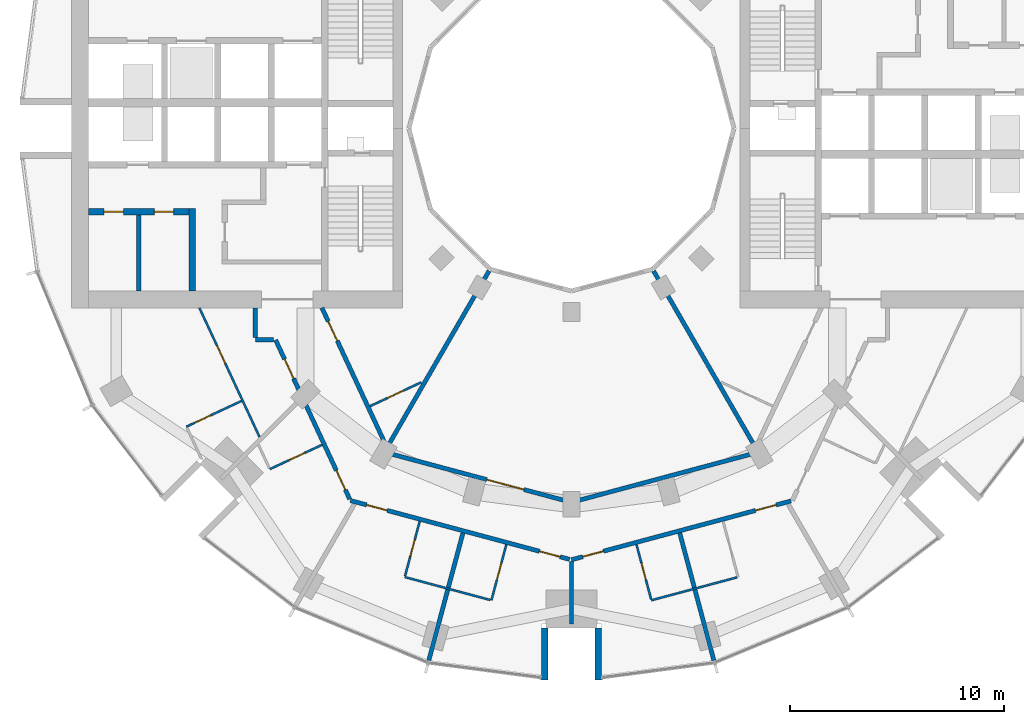
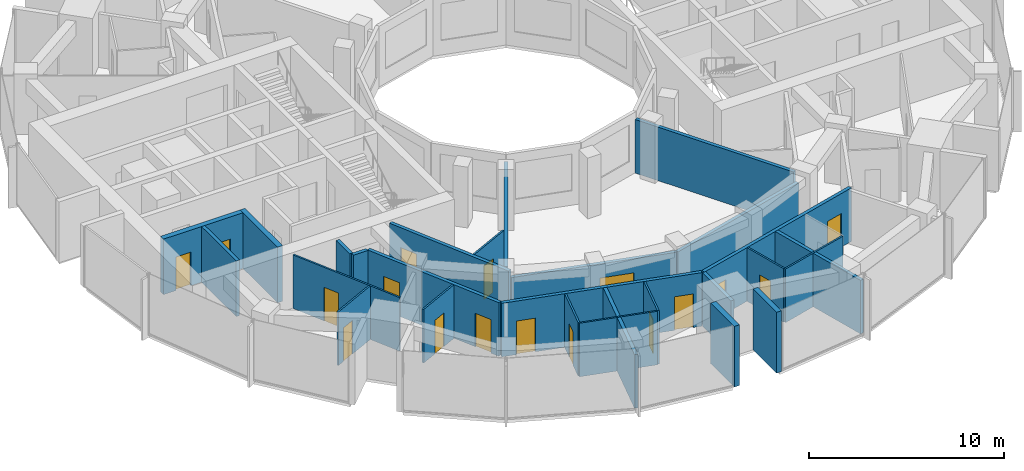
# One storey, part 8 of 15: 27 walls, 17 doors, 17 openings.
"""IFC4 building model written with IfcOpenShell, lengths in metres."""

from ifc_helpers import new_model, si_unit, direction, frame, frame_2d, origin, place, context, subcontext, project, spatial, rectangle, extrude, material, layer, layer_set, type_object, element, fill, save


model = new_model("IFC4")

# Units and contexts
model_context = context("Model", 3, precision=1e-05, world=origin(), true_north=direction((0.0, 1.0)))
body_context = subcontext(model_context, "Body", "Model", "MODEL_VIEW")
ifc_project = project(units=[si_unit("LENGTHUNIT", "METRE"), si_unit("AREAUNIT", "SQUARE_METRE"), si_unit("VOLUMEUNIT", "CUBIC_METRE"), si_unit("PLANEANGLEUNIT", "RADIAN"), si_unit("MASSUNIT", "GRAM", prefix="KILO")], contexts=[model_context])

# Site, building, storey
site_placement = place(None, origin())
site = spatial("IfcSite", under=ifc_project, at=site_placement, CompositionType="ELEMENT")
building_placement = place(site_placement, origin())
building = spatial("IfcBuilding", under=site, at=building_placement, Name="Torre Brocal", CompositionType="ELEMENT")
storey_placement = place(building_placement, frame((0.0, 0.0, 82.39990234375)))
storey = spatial("IfcBuildingStorey", under=building, at=storey_placement, Name="L18", CompositionType="ELEMENT", Elevation=82.39990234375)

# Walls
ifc_material_1 = material(Name="Masonry block", Category="masonry")
ifc_layer_1 = layer(ifc_material_1, 0.199951171875)
ifc_layer_set_1 = layer_set([ifc_layer_1], Name="Masonry block")
wall_type_1 = type_object("IfcWallType", Name="CORE PARTITION 200", PredefinedType="PARTITIONING", material=ifc_layer_set_1)
wall_1_placement = place(storey_placement, frame((59.75, 70.949951171875, 0.0), z_axis=(0.0, 0.0, 1.0), x_axis=(0.0, -1.0, 0.0)))
element("IfcWall", 1, at=wall_1_placement, inside=storey, type_object=wall_type_1, Name="Wall CP200", PredefinedType="PARTITIONING", context=body_context, shape_type="SweptSolid", body=[
    extrude(rectangle(XDim=3.550048828125, YDim=0.199951171875, at=frame_2d((1.77490234375, 0.0))), origin(), (0.0, 0.0, 1.0), 3.47998046875),
])
ifc_material_2 = material(Name="Concrete C80", Category="concrete")
ifc_layer_2 = layer(ifc_material_2, 0.300048828125)
ifc_layer_set_2 = layer_set([ifc_layer_2], Name="Concrete C80")
wall_type_2 = type_object("IfcWallType", Name="CORE WALL 300 C80", PredefinedType="SHEAR", material=ifc_layer_set_2)
wall_2_placement = place(storey_placement, frame((62.25, 71.25, 0.0), z_axis=(0.0, 0.0, 1.0), x_axis=(0.0, -1.0, 0.0)))
element("IfcWall", 2, at=wall_2_placement, inside=storey, type_object=wall_type_2, Name="Wall CW300-80", PredefinedType="SHEAR", context=body_context, shape_type="SweptSolid", body=[
    extrude(rectangle(XDim=3.85009765625, YDim=0.300048828125, at=frame_2d((1.925048828125, 0.0))), origin(), (0.0, 0.0, 1.0), 3.47998046875),
])

# Wall, openings, doors
wall_3_placement = place(storey_placement, frame((62.10009765625, 71.10009765625, 0.0), z_axis=(0.0, 0.0, 1.0), x_axis=(-1.0, 0.0, 0.0)))
wall_3 = element("IfcWall", 3, at=wall_3_placement, inside=storey, type_object=wall_type_2, Name="Wall CW300-80", PredefinedType="SHEAR", context=body_context, shape_type="SweptSolid", body=[
    extrude(rectangle(XDim=4.7001953125, YDim=0.300048828125, at=frame_2d((2.35009765625, 0.0))), origin(), (0.0, 0.0, 1.0), 3.47998046875),
])
opening_1_placement = place(wall_3_placement, frame((0.72509765625, 0.0, 0.0)))
opening_1 = element("IfcOpeningElement", 4, at=opening_1_placement, cuts=wall_3, Name="Opening W-D05", PredefinedType="OPENING", context=body_context, shape_type="SweptSolid", body=[
    extrude(rectangle(XDim=0.89990234375, YDim=2.10009765625, at=frame_2d((0.449951171875, 1.050048828125))), frame((0.0, 0.159912109375, 0.0), z_axis=(0.0, -1.0, 0.0), x_axis=(1.0, 0.0, 0.0)), (0.0, 0.0, 1.0), 0.320068359375),
])
opening_2_placement = place(wall_3_placement, frame((3.074951171875, 0.0, 0.0)))
opening_2 = element("IfcOpeningElement", 5, at=opening_2_placement, cuts=wall_3, Name="Opening W-D06", PredefinedType="OPENING", context=body_context, shape_type="SweptSolid", body=[
    extrude(rectangle(XDim=0.89990234375, YDim=2.10009765625, at=frame_2d((0.449951171875, 1.050048828125))), frame((0.0, 0.159912109375, 0.0), z_axis=(0.0, -1.0, 0.0), x_axis=(1.0, 0.0, 0.0)), (0.0, 0.0, 1.0), 0.320068359375),
])
ifc_material_3 = material(Name="Steel A653", Category="steel")
door_type_1 = type_object("IfcDoorType", Name="ROOM DOOR FD30S 900X2100", OperationType="SINGLE_SWING_LEFT", PredefinedType="DOOR", material=ifc_material_3)
door_1_placement = place(opening_1_placement, origin())
door_1 = element("IfcDoor", 6, at=door_1_placement, inside=storey, type_object=door_type_1, Name="Door W-D05", OperationType="SINGLE_SWING_RIGHT", OverallHeight=2.10009765625, OverallWidth=0.89990234375, PredefinedType="DOOR", context=body_context, shape_type="SweptSolid", body=[
    extrude(rectangle(XDim=0.89990234375, YDim=2.10009765625, at=frame_2d((0.449951171875, 1.050048828125))), frame((0.0, 0.02490234375, 0.0), z_axis=(0.0, -1.0, 0.0), x_axis=(1.0, 0.0, 0.0)), (0.0, 0.0, 1.0), 0.050048828125),
])
fill(opening_1, door_1)
door_2_placement = place(opening_2_placement, origin())
door_2 = element("IfcDoor", 7, at=door_2_placement, inside=storey, type_object=door_type_1, Name="Door W-D06", OperationType="SINGLE_SWING_LEFT", OverallHeight=2.10009765625, OverallWidth=0.89990234375, PredefinedType="DOOR", context=body_context, shape_type="SweptSolid", body=[
    extrude(rectangle(XDim=0.89990234375, YDim=2.10009765625, at=frame_2d((0.449951171875, 1.050048828125))), frame((0.0, 0.02490234375, 0.0), z_axis=(0.0, -1.0, 0.0), x_axis=(1.0, 0.0, 0.0)), (0.0, 0.0, 1.0), 0.050048828125),
])
fill(opening_2, door_2)

# Walls
ifc_material_4 = material(Name="Concrete C80", Category="concrete")
ifc_layer_3 = layer(ifc_material_4, 0.300048828125)
ifc_layer_set_3 = layer_set([ifc_layer_3], Name="Concrete C80")
wall_type_3 = type_object("IfcWallType", Name="NOTCH RETURN WALL 300 C80", PredefinedType="NOTDEFINED", material=ifc_layer_set_3)
for number, where, z_axis, x_axis, name in (
    (8, (78.75, 51.60009765625, 0.0), (0.0, 0.0, 1.0), (0.0, -1.0, 0.0), "NOTCH RETURN WALL"),
    (9, (81.25, 51.60009765625, 0.0), (0.0, 0.0, 1.0), (0.0, -1.0, 0.0), "NOTCH RETURN WALL"),
):
    element("IfcWall", number, at=place(storey_placement, frame(where, z_axis=z_axis, x_axis=x_axis)), inside=storey, type_object=wall_type_3, Name=name, PredefinedType="NOTDEFINED", context=body_context, shape_type="SweptSolid", body=[
        extrude(rectangle(XDim=2.415771484375, YDim=0.300048828125, at=frame_2d((1.2080078125, 0.0))), origin(), (0.0, 0.0, 1.0), 3.800048828125),
    ])

# Wall, opening, door
ifc_material_5 = material(Name="Gypsum board", Category="Gypsum")
ifc_layer_4 = layer(ifc_material_5, 0.10009765625)
ifc_layer_set_4 = layer_set([ifc_layer_4], Name="Gypsum board")
wall_type_4 = type_object("IfcWallType", Name="PARTITION 100", PredefinedType="PARTITIONING", material=ifc_layer_set_4)
wall_4_placement = place(storey_placement, frame((61.97509765625, 61.037109375, 0.0), z_axis=(0.0, 0.0, 1.0), x_axis=(0.906360368959, 0.422505481125, 0.0)))
wall_4 = element("IfcWall", 10, at=wall_4_placement, inside=storey, type_object=wall_type_4, Name="BATHROOM WALL", PredefinedType="PARTITIONING", context=body_context, shape_type="SweptSolid", body=[
    extrude(rectangle(XDim=2.849365234375, YDim=0.10009765625, at=frame_2d((1.4248046875, 0.0))), origin(), (0.0, 0.0, 1.0), 3.35009765625),
])
opening_3_placement = place(wall_4_placement, frame((0.44970703125, 0.0, 0.0)))
opening_3 = element("IfcOpeningElement", 11, at=opening_3_placement, cuts=wall_4, Name="Opening H05-D40", PredefinedType="OPENING", context=body_context, shape_type="SweptSolid", body=[
    extrude(rectangle(XDim=0.800048828125, YDim=2.10009765625, at=frame_2d((0.39990234375, 1.050048828125))), frame((0.0, 0.06005859375, 0.0), z_axis=(0.0, -1.0, 0.0), x_axis=(1.0, 0.0, 0.0)), (0.0, 0.0, 1.0), 0.1201171875),
])
ifc_material_6 = material(Name="Timber", Category="wood")
door_type_2 = type_object("IfcDoorType", Name="BATHROOM DOOR 800X2100", OperationType="SINGLE_SWING_LEFT", PredefinedType="DOOR", material=ifc_material_6)
door_3_placement = place(opening_3_placement, frame((0.800048828125, 0.0, 0.0), z_axis=(0.0, 0.0, 1.0), x_axis=(-1.0, 0.0, 0.0)))
door_3 = element("IfcDoor", 12, at=door_3_placement, inside=storey, type_object=door_type_2, Name="H05-D40", OperationType="SINGLE_SWING_RIGHT", OverallHeight=2.10009765625, OverallWidth=0.800048828125, PredefinedType="DOOR", context=body_context, shape_type="SweptSolid", body=[
    extrude(rectangle(XDim=0.800048828125, YDim=2.10009765625, at=frame_2d((0.39990234375, 1.050048828125))), frame((0.0, 0.02490234375, 0.0), z_axis=(0.0, -1.0, 0.0), x_axis=(1.0, 0.0, 0.0)), (0.0, 0.0, 1.0), 0.050048828125),
])
fill(opening_3, door_3)

wall_5_placement = place(storey_placement, frame((62.58203125, 66.60009765625, 0.0), z_axis=(0.0, 0.0, 1.0), x_axis=(0.422283870085, -0.906463641337, 0.0)))
wall_5 = element("IfcWall", 13, at=wall_5_placement, inside=storey, type_object=wall_type_4, Name="BATHROOM WALL", PredefinedType="PARTITIONING", context=body_context, shape_type="SweptSolid", body=[
    extrude(rectangle(XDim=6.666015625, YDim=0.10009765625, at=frame_2d((3.3330078125, 0.0))), origin(), (0.0, 0.0, 1.0), 3.35009765625),
])
opening_4_placement = place(wall_5_placement, frame((1.95263671875, 0.0, 0.0)))
opening_4 = element("IfcOpeningElement", 14, at=opening_4_placement, cuts=wall_5, Name="Opening H05-D39", PredefinedType="OPENING", context=body_context, shape_type="SweptSolid", body=[
    extrude(rectangle(XDim=0.89990234375, YDim=2.10009765625, at=frame_2d((0.449951171875, 1.050048828125))), frame((0.0, 0.06005859375, 0.0), z_axis=(0.0, -1.0, 0.0), x_axis=(1.0, 0.0, 0.0)), (0.0, 0.0, 1.0), 0.1201171875),
])
ifc_material_7 = material(Name="Timber", Category="wood")
door_type_3 = type_object("IfcDoorType", Name="ROOM DOOR 900X2100", OperationType="SINGLE_SWING_LEFT", PredefinedType="DOOR", material=ifc_material_7)
door_4_placement = place(opening_4_placement, origin())
door_4 = element("IfcDoor", 15, at=door_4_placement, inside=storey, type_object=door_type_3, Name="H05-D39", OperationType="SINGLE_SWING_LEFT", OverallHeight=2.10009765625, OverallWidth=0.89990234375, PredefinedType="DOOR", context=body_context, shape_type="SweptSolid", body=[
    extrude(rectangle(XDim=0.89990234375, YDim=2.10009765625, at=frame_2d((0.449951171875, 1.050048828125))), frame((0.0, 0.02490234375, 0.0), z_axis=(0.0, -1.0, 0.0), x_axis=(1.0, 0.0, 0.0)), (0.0, 0.0, 1.0), 0.050048828125),
])
fill(opening_4, door_4)

wall_6_placement = place(storey_placement, frame((65.87890625, 59.048095703125, 0.0), z_axis=(0.0, 0.0, 1.0), x_axis=(0.906746039995, 0.421677150144, 0.0)))
wall_6 = element("IfcWall", 16, at=wall_6_placement, inside=storey, type_object=wall_type_4, Name="BATHROOM WALL", PredefinedType="PARTITIONING", context=body_context, shape_type="SweptSolid", body=[
    extrude(rectangle(XDim=2.69970703125, YDim=0.10009765625, at=frame_2d((1.349853515625, 0.0))), origin(), (0.0, 0.0, 1.0), 3.35009765625),
])
opening_5_placement = place(wall_6_placement, frame((1.0, 0.0, 0.0)))
opening_5 = element("IfcOpeningElement", 17, at=opening_5_placement, cuts=wall_6, Name="Opening H05-D37", PredefinedType="OPENING", context=body_context, shape_type="SweptSolid", body=[
    extrude(rectangle(XDim=0.800048828125, YDim=2.10009765625, at=frame_2d((0.39990234375, 1.050048828125))), frame((0.0, 0.06005859375, 0.0), z_axis=(0.0, -1.0, 0.0), x_axis=(1.0, 0.0, 0.0)), (0.0, 0.0, 1.0), 0.1201171875),
])
door_5_placement = place(opening_5_placement, origin())
door_5 = element("IfcDoor", 18, at=door_5_placement, inside=storey, type_object=door_type_2, Name="H05-D37", OperationType="SINGLE_SWING_RIGHT", OverallHeight=2.10009765625, OverallWidth=0.800048828125, PredefinedType="DOOR", context=body_context, shape_type="SweptSolid", body=[
    extrude(rectangle(XDim=0.800048828125, YDim=2.10009765625, at=frame_2d((0.39990234375, 1.050048828125))), frame((0.0, 0.02490234375, 0.0), z_axis=(0.0, -1.0, 0.0), x_axis=(1.0, 0.0, 0.0)), (0.0, 0.0, 1.0), 0.050048828125),
])
fill(opening_5, door_5)

wall_7_placement = place(storey_placement, frame((70.57373046875, 61.997314453125, 0.0), z_axis=(0.0, 0.0, 1.0), x_axis=(0.906503026865, 0.422199315826, 0.0)))
wall_7 = element("IfcWall", 19, at=wall_7_placement, inside=storey, type_object=wall_type_4, Name="BATHROOM WALL", PredefinedType="PARTITIONING", context=body_context, shape_type="SweptSolid", body=[
    extrude(rectangle(XDim=2.649658203125, YDim=0.10009765625, at=frame_2d((1.32470703125, 0.0))), origin(), (0.0, 0.0, 1.0), 3.35009765625),
])
opening_6_placement = place(wall_7_placement, frame((0.89990234375, 0.0, 0.0)))
opening_6 = element("IfcOpeningElement", 20, at=opening_6_placement, cuts=wall_7, Name="Opening H05-D45", PredefinedType="OPENING", context=body_context, shape_type="SweptSolid", body=[
    extrude(rectangle(XDim=0.800048828125, YDim=2.10009765625, at=frame_2d((0.39990234375, 1.050048828125))), frame((0.0, 0.06005859375, 0.0), z_axis=(0.0, -1.0, 0.0), x_axis=(1.0, 0.0, 0.0)), (0.0, 0.0, 1.0), 0.1201171875),
])
door_6_placement = place(opening_6_placement, frame((0.800048828125, 0.0, 0.0), z_axis=(0.0, 0.0, 1.0), x_axis=(-1.0, 0.0, 0.0)))
door_6 = element("IfcDoor", 21, at=door_6_placement, inside=storey, type_object=door_type_2, Name="H05-D45", OperationType="SINGLE_SWING_RIGHT", OverallHeight=2.10009765625, OverallWidth=0.800048828125, PredefinedType="DOOR", context=body_context, shape_type="SweptSolid", body=[
    extrude(rectangle(XDim=0.800048828125, YDim=2.10009765625, at=frame_2d((0.39990234375, 1.050048828125))), frame((0.0, 0.02490234375, 0.0), z_axis=(0.0, -1.0, 0.0), x_axis=(1.0, 0.0, 0.0)), (0.0, 0.0, 1.0), 0.050048828125),
])
fill(opening_6, door_6)

wall_8_placement = place(storey_placement, frame((72.2109375, 54.044189453125, 0.0), z_axis=(0.0, 0.0, 1.0), x_axis=(0.258866552082, 0.96591309558, 0.0)))
wall_8 = element("IfcWall", 22, at=wall_8_placement, inside=storey, type_object=wall_type_4, Name="BATHROOM WALL", PredefinedType="PARTITIONING", context=body_context, shape_type="SweptSolid", body=[
    extrude(rectangle(XDim=2.650146484375, YDim=0.10009765625, at=frame_2d((1.3251953125, 0.0))), origin(), (0.0, 0.0, 1.0), 3.35009765625),
])
opening_7_placement = place(wall_8_placement, frame((0.9501953125, 0.0, 0.0)))
opening_7 = element("IfcOpeningElement", 23, at=opening_7_placement, cuts=wall_8, Name="Opening H05-D35", PredefinedType="OPENING", context=body_context, shape_type="SweptSolid", body=[
    extrude(rectangle(XDim=0.800048828125, YDim=2.10009765625, at=frame_2d((0.39990234375, 1.050048828125))), frame((0.0, 0.06005859375, 0.0), z_axis=(0.0, -1.0, 0.0), x_axis=(1.0, 0.0, 0.0)), (0.0, 0.0, 1.0), 0.1201171875),
])
door_7_placement = place(opening_7_placement, frame((0.800048828125, 0.0, 0.0), z_axis=(0.0, 0.0, 1.0), x_axis=(-1.0, 0.0, 0.0)))
door_7 = element("IfcDoor", 24, at=door_7_placement, inside=storey, type_object=door_type_2, Name="H05-D35", OperationType="SINGLE_SWING_LEFT", OverallHeight=2.10009765625, OverallWidth=0.800048828125, PredefinedType="DOOR", context=body_context, shape_type="SweptSolid", body=[
    extrude(rectangle(XDim=0.800048828125, YDim=2.10009765625, at=frame_2d((0.39990234375, 1.050048828125))), frame((0.0, 0.02490234375, 0.0), z_axis=(0.0, -1.0, 0.0), x_axis=(1.0, 0.0, 0.0)), (0.0, 0.0, 1.0), 0.050048828125),
])
fill(opening_7, door_7)

# Wall
wall_9_placement = place(storey_placement, frame((72.197998046875, 53.99609375, 0.0), z_axis=(0.0, 0.0, 1.0), x_axis=(0.965855045962, -0.259083056549, 0.0)))
element("IfcWall", 25, at=wall_9_placement, inside=storey, type_object=wall_type_4, Name="BATHROOM WALL", PredefinedType="PARTITIONING", context=body_context, shape_type="SweptSolid", body=[
    extrude(rectangle(XDim=4.14990234375, YDim=0.10009765625, at=frame_2d((2.074951171875, 0.0))), origin(), (0.0, 0.0, 1.0), 3.35009765625),
])

# Wall, opening, door
wall_10_placement = place(storey_placement, frame((76.2548828125, 52.908935546875, 0.0), z_axis=(0.0, 0.0, 1.0), x_axis=(0.25867580527, 0.965964195904, 0.0)))
wall_10 = element("IfcWall", 26, at=wall_10_placement, inside=storey, type_object=wall_type_4, Name="BATHROOM WALL", PredefinedType="PARTITIONING", context=body_context, shape_type="SweptSolid", body=[
    extrude(rectangle(XDim=2.69921875, YDim=0.10009765625, at=frame_2d((1.349609375, 0.0))), origin(), (0.0, 0.0, 1.0), 3.35009765625),
])
opening_8_placement = place(wall_10_placement, frame((0.99951171875, 0.0, 0.0)))
opening_8 = element("IfcOpeningElement", 27, at=opening_8_placement, cuts=wall_10, Name="Opening H05-D33", PredefinedType="OPENING", context=body_context, shape_type="SweptSolid", body=[
    extrude(rectangle(XDim=0.800048828125, YDim=2.10009765625, at=frame_2d((0.39990234375, 1.050048828125))), frame((0.0, 0.06005859375, 0.0), z_axis=(0.0, -1.0, 0.0), x_axis=(1.0, 0.0, 0.0)), (0.0, 0.0, 1.0), 0.1201171875),
])
door_8_placement = place(opening_8_placement, origin())
door_8 = element("IfcDoor", 28, at=door_8_placement, inside=storey, type_object=door_type_2, Name="H05-D33", OperationType="SINGLE_SWING_RIGHT", OverallHeight=2.10009765625, OverallWidth=0.800048828125, PredefinedType="DOOR", context=body_context, shape_type="SweptSolid", body=[
    extrude(rectangle(XDim=0.800048828125, YDim=2.10009765625, at=frame_2d((0.39990234375, 1.050048828125))), frame((0.0, 0.02490234375, 0.0), z_axis=(0.0, -1.0, 0.0), x_axis=(1.0, 0.0, 0.0)), (0.0, 0.0, 1.0), 0.050048828125),
])
fill(opening_8, door_8)

wall_11_placement = place(storey_placement, frame((83.046875, 55.516357421875, 0.0), z_axis=(0.0, 0.0, 1.0), x_axis=(0.258677737588, -0.965963678446, 0.0)))
wall_11 = element("IfcWall", 29, at=wall_11_placement, inside=storey, type_object=wall_type_4, Name="BATHROOM WALL", PredefinedType="PARTITIONING", context=body_context, shape_type="SweptSolid", body=[
    extrude(rectangle(XDim=2.649169921875, YDim=0.10009765625, at=frame_2d((1.32470703125, 0.0))), origin(), (0.0, 0.0, 1.0), 3.35009765625),
])
opening_9_placement = place(wall_11_placement, frame((0.899658203125, 0.0, 0.0)))
opening_9 = element("IfcOpeningElement", 30, at=opening_9_placement, cuts=wall_11, Name="Opening H05-D31", PredefinedType="OPENING", context=body_context, shape_type="SweptSolid", body=[
    extrude(rectangle(XDim=0.800048828125, YDim=2.10009765625, at=frame_2d((0.39990234375, 1.050048828125))), frame((0.0, 0.06005859375, 0.0), z_axis=(0.0, -1.0, 0.0), x_axis=(1.0, 0.0, 0.0)), (0.0, 0.0, 1.0), 0.1201171875),
])
door_9_placement = place(opening_9_placement, origin())
door_9 = element("IfcDoor", 31, at=door_9_placement, inside=storey, type_object=door_type_2, Name="H05-D31", OperationType="SINGLE_SWING_LEFT", OverallHeight=2.10009765625, OverallWidth=0.800048828125, PredefinedType="DOOR", context=body_context, shape_type="SweptSolid", body=[
    extrude(rectangle(XDim=0.800048828125, YDim=2.10009765625, at=frame_2d((0.39990234375, 1.050048828125))), frame((0.0, 0.02490234375, 0.0), z_axis=(0.0, -1.0, 0.0), x_axis=(1.0, 0.0, 0.0)), (0.0, 0.0, 1.0), 0.050048828125),
])
fill(opening_9, door_9)

# Walls
wall_12_placement = place(storey_placement, frame((83.7451171875, 52.908935546875, 0.0), z_axis=(0.0, 0.0, 1.0), x_axis=(0.965995295758, 0.258559642196, 0.0)))
element("IfcWall", 32, at=wall_12_placement, inside=storey, type_object=wall_type_4, Name="BATHROOM WALL", PredefinedType="PARTITIONING", context=body_context, shape_type="SweptSolid", body=[
    extrude(rectangle(XDim=4.14990234375, YDim=0.10009765625, at=frame_2d((2.074951171875, 0.0))), origin(), (0.0, 0.0, 1.0), 3.35009765625),
])
ifc_material_8 = material(Name="Gypsum board", Category="Gypsum")
ifc_layer_5 = layer(ifc_material_8, 0.199951171875)
ifc_layer_set_5 = layer_set([ifc_layer_5], Name="Gypsum board")
wall_type_5 = type_object("IfcWallType", Name="PARTITION 200 EI60", PredefinedType="PARTITIONING", material=ifc_layer_set_5)
wall_13_placement = place(storey_placement, frame((65.199951171875, 65.199951171875, 0.0), z_axis=(0.0, 0.0, 1.0), x_axis=(0.0, 1.0, 0.0)))
element("IfcWall", 33, at=wall_13_placement, inside=storey, type_object=wall_type_5, Name="FLAT ENTRANCE WALL", PredefinedType="PARTITIONING", context=body_context, shape_type="SweptSolid", body=[
    extrude(rectangle(XDim=1.399169921875, YDim=0.199951171875, at=frame_2d((0.69970703125, 0.0))), origin(), (0.0, 0.0, 1.0), 3.35009765625),
])
wall_14_placement = place(storey_placement, frame((65.199951171875, 65.10009765625, 0.0), z_axis=(0.0, 0.0, 1.0), x_axis=(1.0, 0.0, 0.0)))
element("IfcWall", 34, at=wall_14_placement, inside=storey, type_object=wall_type_5, Name="FLAT ENTRANCE WALL", PredefinedType="PARTITIONING", context=body_context, shape_type="SweptSolid", body=[
    extrude(rectangle(XDim=0.859130859375, YDim=0.199951171875, at=frame_2d((0.4296875, 0.0))), origin(), (0.0, 0.0, 1.0), 3.35009765625),
])

# Wall, openings, doors
wall_15_placement = place(storey_placement, frame((66.150390625, 65.10009765625, 0.0), z_axis=(0.0, 0.0, 1.0), x_axis=(0.421874842351, -0.906654078131, 0.0)))
wall_15 = element("IfcWall", 35, at=wall_15_placement, inside=storey, type_object=wall_type_5, Name="FLAT ENTRANCE WALL", PredefinedType="PARTITIONING", context=body_context, shape_type="SweptSolid", body=[
    extrude(rectangle(XDim=8.22802734375, YDim=0.199951171875, at=frame_2d((4.114013671875, 0.0))), origin(), (0.0, 0.0, 1.0), 3.35009765625),
])
opening_10_placement = place(wall_15_placement, frame((6.748291015625, 0.0, 0.0)))
opening_10 = element("IfcOpeningElement", 36, at=opening_10_placement, cuts=wall_15, Name="Opening H05-D36", PredefinedType="OPENING", context=body_context, shape_type="SweptSolid", body=[
    extrude(rectangle(XDim=1.0, YDim=2.10009765625, at=frame_2d((0.5, 1.050048828125))), frame((0.0, 0.10986328125, 0.0), z_axis=(0.0, -1.0, 0.0), x_axis=(1.0, 0.0, 0.0)), (0.0, 0.0, 1.0), 0.219970703125),
])
opening_11_placement = place(wall_15_placement, frame((0.99658203125, 0.0, 0.0)))
opening_11 = element("IfcOpeningElement", 37, at=opening_11_placement, cuts=wall_15, Name="Opening H05-D38", PredefinedType="OPENING", context=body_context, shape_type="SweptSolid", body=[
    extrude(rectangle(XDim=1.0, YDim=2.10009765625, at=frame_2d((0.5, 1.050048828125))), frame((0.0, 0.10986328125, 0.0), z_axis=(0.0, -1.0, 0.0), x_axis=(1.0, 0.0, 0.0)), (0.0, 0.0, 1.0), 0.219970703125),
])
ifc_material_9 = material(Name="Timber", Category="wood")
door_type_4 = type_object("IfcDoorType", Name="FLAT ENTRY DOOR FD30S 1000X2100", OperationType="SINGLE_SWING_RIGHT", PredefinedType="DOOR", material=ifc_material_9)
door_10_placement = place(opening_10_placement, frame((1.0, 0.0, 0.0), z_axis=(0.0, 0.0, 1.0), x_axis=(-1.0, 0.0, 0.0)))
door_10 = element("IfcDoor", 38, at=door_10_placement, inside=storey, type_object=door_type_4, Name="H05-D36", OperationType="SINGLE_SWING_LEFT", OverallHeight=2.10009765625, OverallWidth=1.0, PredefinedType="DOOR", context=body_context, shape_type="SweptSolid", body=[
    extrude(rectangle(XDim=1.0, YDim=2.10009765625, at=frame_2d((0.5, 1.050048828125))), frame((0.0, 0.02490234375, 0.0), z_axis=(0.0, -1.0, 0.0), x_axis=(1.0, 0.0, 0.0)), (0.0, 0.0, 1.0), 0.050048828125),
])
fill(opening_10, door_10)
door_11_placement = place(opening_11_placement, frame((1.0, 0.0, 0.0), z_axis=(0.0, 0.0, 1.0), x_axis=(-1.0, 0.0, 0.0)))
door_11 = element("IfcDoor", 39, at=door_11_placement, inside=storey, type_object=door_type_4, Name="H05-D38", OperationType="SINGLE_SWING_LEFT", OverallHeight=2.10009765625, OverallWidth=1.0, PredefinedType="DOOR", context=body_context, shape_type="SweptSolid", body=[
    extrude(rectangle(XDim=1.0, YDim=2.10009765625, at=frame_2d((0.5, 1.050048828125))), frame((0.0, 0.02490234375, 0.0), z_axis=(0.0, -1.0, 0.0), x_axis=(1.0, 0.0, 0.0)), (0.0, 0.0, 1.0), 0.050048828125),
])
fill(opening_11, door_11)

# Wall, opening, door
wall_16_placement = place(storey_placement, frame((68.32080078125, 66.600341796875, 0.0), z_axis=(0.0, 0.0, 1.0), x_axis=(0.421914092414, -0.906635813666, 0.0)))
wall_16 = element("IfcWall", 40, at=wall_16_placement, inside=storey, type_object=wall_type_5, Name="GUESTROOM CORRIDOR WALL", PredefinedType="PARTITIONING", context=body_context, shape_type="SweptSolid", body=[
    extrude(rectangle(XDim=7.45947265625, YDim=0.199951171875, at=frame_2d((3.729736328125, 0.0))), origin(), (0.0, 0.0, 1.0), 3.35009765625),
])
opening_12_placement = place(wall_16_placement, frame((0.699951171875, 0.0, 0.0)))
opening_12 = element("IfcOpeningElement", 41, at=opening_12_placement, cuts=wall_16, Name="Opening H05-D44", PredefinedType="OPENING", context=body_context, shape_type="SweptSolid", body=[
    extrude(rectangle(XDim=1.0, YDim=2.10009765625, at=frame_2d((0.5, 1.050048828125))), frame((0.0, 0.10986328125, 0.0), z_axis=(0.0, -1.0, 0.0), x_axis=(1.0, 0.0, 0.0)), (0.0, 0.0, 1.0), 0.219970703125),
])
door_12_placement = place(opening_12_placement, origin())
door_12 = element("IfcDoor", 42, at=door_12_placement, inside=storey, type_object=door_type_4, Name="H05-D44", OperationType="SINGLE_SWING_LEFT", OverallHeight=2.10009765625, OverallWidth=1.0, PredefinedType="DOOR", context=body_context, shape_type="SweptSolid", body=[
    extrude(rectangle(XDim=1.0, YDim=2.10009765625, at=frame_2d((0.5, 1.050048828125))), frame((0.0, 0.02490234375, 0.0), z_axis=(0.0, -1.0, 0.0), x_axis=(1.0, 0.0, 0.0)), (0.0, 0.0, 1.0), 0.050048828125),
])
fill(opening_12, door_12)

# Wall, openings, doors
wall_17_placement = place(storey_placement, frame((69.652099609375, 57.57763671875, 0.0), z_axis=(0.0, 0.0, 1.0), x_axis=(0.965857425723, -0.259074184695, 0.0)))
wall_17 = element("IfcWall", 43, at=wall_17_placement, inside=storey, type_object=wall_type_5, Name="GUESTROOM CORRIDOR WALL", PredefinedType="PARTITIONING", context=body_context, shape_type="SweptSolid", body=[
    extrude(rectangle(XDim=10.623291015625, YDim=0.199951171875, at=frame_2d((5.3115234375, 0.0))), origin(), (0.0, 0.0, 1.0), 3.35009765625),
])
opening_13_placement = place(wall_17_placement, frame((9.1630859375, 0.0, 0.0)))
opening_13 = element("IfcOpeningElement", 44, at=opening_13_placement, cuts=wall_17, Name="Opening H05-D32", PredefinedType="OPENING", context=body_context, shape_type="SweptSolid", body=[
    extrude(rectangle(XDim=1.0, YDim=2.10009765625, at=frame_2d((0.5, 1.050048828125))), frame((0.0, 0.10986328125, 0.0), z_axis=(0.0, -1.0, 0.0), x_axis=(1.0, 0.0, 0.0)), (0.0, 0.0, 1.0), 0.219970703125),
])
opening_14_placement = place(wall_17_placement, frame((0.7880859375, 0.0, 0.0)))
opening_14 = element("IfcOpeningElement", 45, at=opening_14_placement, cuts=wall_17, Name="Opening H05-D34", PredefinedType="OPENING", context=body_context, shape_type="SweptSolid", body=[
    extrude(rectangle(XDim=1.0, YDim=2.10009765625, at=frame_2d((0.5, 1.050048828125))), frame((0.0, 0.10986328125, 0.0), z_axis=(0.0, -1.0, 0.0), x_axis=(1.0, 0.0, 0.0)), (0.0, 0.0, 1.0), 0.219970703125),
])
door_13_placement = place(opening_13_placement, frame((1.0, 0.0, 0.0), z_axis=(0.0, 0.0, 1.0), x_axis=(-1.0, 0.0, 0.0)))
door_13 = element("IfcDoor", 46, at=door_13_placement, inside=storey, type_object=door_type_4, Name="H05-D32", OperationType="SINGLE_SWING_LEFT", OverallHeight=2.10009765625, OverallWidth=1.0, PredefinedType="DOOR", context=body_context, shape_type="SweptSolid", body=[
    extrude(rectangle(XDim=1.0, YDim=2.10009765625, at=frame_2d((0.5, 1.050048828125))), frame((0.0, 0.02490234375, 0.0), z_axis=(0.0, -1.0, 0.0), x_axis=(1.0, 0.0, 0.0)), (0.0, 0.0, 1.0), 0.050048828125),
])
fill(opening_13, door_13)
door_14_placement = place(opening_14_placement, frame((1.0, 0.0, 0.0), z_axis=(0.0, 0.0, 1.0), x_axis=(-1.0, 0.0, 0.0)))
door_14 = element("IfcDoor", 47, at=door_14_placement, inside=storey, type_object=door_type_4, Name="H05-D34", OperationType="SINGLE_SWING_RIGHT", OverallHeight=2.10009765625, OverallWidth=1.0, PredefinedType="DOOR", context=body_context, shape_type="SweptSolid", body=[
    extrude(rectangle(XDim=1.0, YDim=2.10009765625, at=frame_2d((0.5, 1.050048828125))), frame((0.0, 0.02490234375, 0.0), z_axis=(0.0, -1.0, 0.0), x_axis=(1.0, 0.0, 0.0)), (0.0, 0.0, 1.0), 0.050048828125),
])
fill(opening_14, door_14)

# Walls
wall_18_placement = place(storey_placement, frame((71.45947265625, 60.21826171875, 0.0), z_axis=(0.0, 0.0, 1.0), x_axis=(0.500232027118, 0.865891401416, 0.0)))
element("IfcWall", 48, at=wall_18_placement, inside=storey, type_object=wall_type_5, Name="BATHROOM WALL", PredefinedType="PARTITIONING", context=body_context, shape_type="SweptSolid", body=[
    extrude(rectangle(XDim=9.3720703125, YDim=0.199951171875, at=frame_2d((4.68603515625, 0.0))), origin(), (0.0, 0.0, 1.0), 3.35009765625),
])
wall_19_placement = place(storey_placement, frame((73.32080078125, 50.081298828125, 0.0), z_axis=(0.0, 0.0, 1.0), x_axis=(0.258886797764, 0.965907669471, 0.0)))
element("IfcWall", 49, at=wall_19_placement, inside=storey, type_object=wall_type_5, Name="BATHROOM WALL", PredefinedType="PARTITIONING", context=body_context, shape_type="SweptSolid", body=[
    extrude(rectangle(XDim=6.1806640625, YDim=0.199951171875, at=frame_2d((3.09033203125, 0.0))), origin(), (0.0, 0.0, 1.0), 3.35009765625),
])
wall_20_placement = place(storey_placement, frame((80.0, 51.800048828125, 0.0), z_axis=(0.0, 0.0, 1.0), x_axis=(0.0, 1.0, 0.0)))
element("IfcWall", 50, at=wall_20_placement, inside=storey, type_object=wall_type_5, Name="PARTY PARTITION", PredefinedType="PARTITIONING", context=body_context, shape_type="SweptSolid", body=[
    extrude(rectangle(XDim=2.9140625, YDim=0.199951171875, at=frame_2d((1.45703125, 0.0))), origin(), (0.0, 0.0, 1.0), 3.35009765625),
])

# Wall, openings, doors
wall_21_placement = place(storey_placement, frame((79.999755859375, 54.804931640625, 0.0), z_axis=(0.0, 0.0, 1.0), x_axis=(0.965962177934, 0.258683340788, 0.0)))
wall_21 = element("IfcWall", 51, at=wall_21_placement, inside=storey, type_object=wall_type_5, Name="GUESTROOM CORRIDOR WALL", PredefinedType="PARTITIONING", context=body_context, shape_type="SweptSolid", body=[
    extrude(rectangle(XDim=10.64306640625, YDim=0.199951171875, at=frame_2d((5.321533203125, 0.0))), origin(), (0.0, 0.0, 1.0), 3.35009765625),
])
opening_15_placement = place(wall_21_placement, frame((8.9248046875, 0.0, 0.0)))
opening_15 = element("IfcOpeningElement", 52, at=opening_15_placement, cuts=wall_21, Name="Opening H05-D28", PredefinedType="OPENING", context=body_context, shape_type="SweptSolid", body=[
    extrude(rectangle(XDim=1.0, YDim=2.10009765625, at=frame_2d((0.5, 1.050048828125))), frame((0.0, 0.10986328125, 0.0), z_axis=(0.0, -1.0, 0.0), x_axis=(1.0, 0.0, 0.0)), (0.0, 0.0, 1.0), 0.219970703125),
])
opening_16_placement = place(wall_21_placement, frame((0.550048828125, 0.0, 0.0)))
opening_16 = element("IfcOpeningElement", 53, at=opening_16_placement, cuts=wall_21, Name="Opening H05-D30", PredefinedType="OPENING", context=body_context, shape_type="SweptSolid", body=[
    extrude(rectangle(XDim=1.0, YDim=2.10009765625, at=frame_2d((0.5, 1.050048828125))), frame((0.0, 0.10986328125, 0.0), z_axis=(0.0, -1.0, 0.0), x_axis=(1.0, 0.0, 0.0)), (0.0, 0.0, 1.0), 0.219970703125),
])
door_15_placement = place(opening_15_placement, frame((1.0, 0.0, 0.0), z_axis=(0.0, 0.0, 1.0), x_axis=(-1.0, 0.0, 0.0)))
door_15 = element("IfcDoor", 54, at=door_15_placement, inside=storey, type_object=door_type_4, Name="H05-D28", OperationType="SINGLE_SWING_LEFT", OverallHeight=2.10009765625, OverallWidth=1.0, PredefinedType="DOOR", context=body_context, shape_type="SweptSolid", body=[
    extrude(rectangle(XDim=1.0, YDim=2.10009765625, at=frame_2d((0.5, 1.050048828125))), frame((0.0, 0.02490234375, 0.0), z_axis=(0.0, -1.0, 0.0), x_axis=(1.0, 0.0, 0.0)), (0.0, 0.0, 1.0), 0.050048828125),
])
fill(opening_15, door_15)
door_16_placement = place(opening_16_placement, frame((1.0, 0.0, 0.0), z_axis=(0.0, 0.0, 1.0), x_axis=(-1.0, 0.0, 0.0)))
door_16 = element("IfcDoor", 55, at=door_16_placement, inside=storey, type_object=door_type_4, Name="H05-D30", OperationType="SINGLE_SWING_RIGHT", OverallHeight=2.10009765625, OverallWidth=1.0, PredefinedType="DOOR", context=body_context, shape_type="SweptSolid", body=[
    extrude(rectangle(XDim=1.0, YDim=2.10009765625, at=frame_2d((0.5, 1.050048828125))), frame((0.0, 0.02490234375, 0.0), z_axis=(0.0, -1.0, 0.0), x_axis=(1.0, 0.0, 0.0)), (0.0, 0.0, 1.0), 0.050048828125),
])
fill(opening_16, door_16)

# Walls
wall_22_placement = place(storey_placement, frame((83.84619140625, 68.330078125, 0.0), z_axis=(0.0, 0.0, 1.0), x_axis=(0.499822319857, -0.866127963163, 0.0)))
element("IfcWall", 56, at=wall_22_placement, inside=storey, type_object=wall_type_5, Name="BATHROOM WALL", PredefinedType="PARTITIONING", context=body_context, shape_type="SweptSolid", body=[
    extrude(rectangle(XDim=9.38232421875, YDim=0.199951171875, at=frame_2d((4.691162109375, 0.0))), origin(), (0.0, 0.0, 1.0), 3.35009765625),
])
wall_23_placement = place(storey_placement, frame((85.07177734375, 56.0595703125, 0.0), z_axis=(0.0, 0.0, 1.0), x_axis=(0.258703231129, -0.965956851109, 0.0)))
element("IfcWall", 57, at=wall_23_placement, inside=storey, type_object=wall_type_5, Name="BATHROOM WALL", PredefinedType="PARTITIONING", context=body_context, shape_type="SweptSolid", body=[
    extrude(rectangle(XDim=6.190673828125, YDim=0.199951171875, at=frame_2d((3.09521484375, 0.0))), origin(), (0.0, 0.0, 1.0), 3.35009765625),
])

# Wall, opening, door
ifc_material_10 = material(Name="Gypsum board", Category="Gypsum")
ifc_layer_6 = layer(ifc_material_10, 0.199951171875)
ifc_layer_set_6 = layer_set([ifc_layer_6], Name="Gypsum board")
wall_type_6 = type_object("IfcWallType", Name="PARTITION 200 EI60 UNDER BEAM 820", PredefinedType="PARTITIONING", material=ifc_layer_set_6)
wall_24_placement = place(storey_placement, frame((71.498046875, 59.774169921875, 0.0), z_axis=(0.0, 0.0, 1.0), x_axis=(0.965911938046, -0.258870871168, 0.0)))
wall_24 = element("IfcWall", 58, at=wall_24_placement, inside=storey, type_object=wall_type_6, Name="GUESTROOM CORRIDOR WALL", PredefinedType="PARTITIONING", context=body_context, shape_type="SweptSolid", body=[
    extrude(rectangle(XDim=8.751953125, YDim=0.199951171875, at=frame_2d((4.3759765625, 0.0))), origin(), (0.0, 0.0, 1.0), 2.97998046875),
])
opening_17_placement = place(wall_24_placement, frame((4.700927734375, 0.0, 0.0)))
opening_17 = element("IfcOpeningElement", 59, at=opening_17_placement, cuts=wall_24, Name="Opening H05-D43", PredefinedType="OPENING", context=body_context, shape_type="SweptSolid", body=[
    extrude(rectangle(XDim=1.800048828125, YDim=2.10009765625, at=frame_2d((0.89990234375, 1.050048828125))), frame((0.0, 0.10986328125, 0.0), z_axis=(0.0, -1.0, 0.0), x_axis=(1.0, 0.0, 0.0)), (0.0, 0.0, 1.0), 0.219970703125),
])
ifc_material_11 = material(Name="Timber", Category="wood")
door_type_5 = type_object("IfcDoorType", Name="DOUBLE DOOR 1800X2100", OperationType="DOUBLE_DOOR_SINGLE_SWING", PredefinedType="DOOR", material=ifc_material_11)
door_17_placement = place(opening_17_placement, origin())
door_17 = element("IfcDoor", 60, at=door_17_placement, inside=storey, type_object=door_type_5, Name="H05-D43", OperationType="DOUBLE_DOOR_SINGLE_SWING", OverallHeight=2.10009765625, OverallWidth=1.800048828125, PredefinedType="DOOR", context=body_context, shape_type="SweptSolid", body=[
    extrude(rectangle(XDim=1.800048828125, YDim=2.10009765625, at=frame_2d((0.89990234375, 1.050048828125))), frame((0.0, 0.02490234375, 0.0), z_axis=(0.0, -1.0, 0.0), x_axis=(1.0, 0.0, 0.0)), (0.0, 0.0, 1.0), 0.050048828125),
])
fill(opening_17, door_17)

# Wall
wall_25_placement = place(storey_placement, frame((80.0, 57.495849609375, 0.0), z_axis=(0.0, 0.0, 1.0), x_axis=(0.96592471314, 0.258823199396, 0.0)))
element("IfcWall", 61, at=wall_25_placement, inside=storey, type_object=wall_type_6, Name="GUESTROOM CORRIDOR WALL", PredefinedType="PARTITIONING", context=body_context, shape_type="SweptSolid", body=[
    extrude(rectangle(XDim=8.73193359375, YDim=0.199951171875, at=frame_2d((4.365966796875, 0.0))), origin(), (0.0, 0.0, 1.0), 2.97998046875),
])

save(model, "model.ifc")
